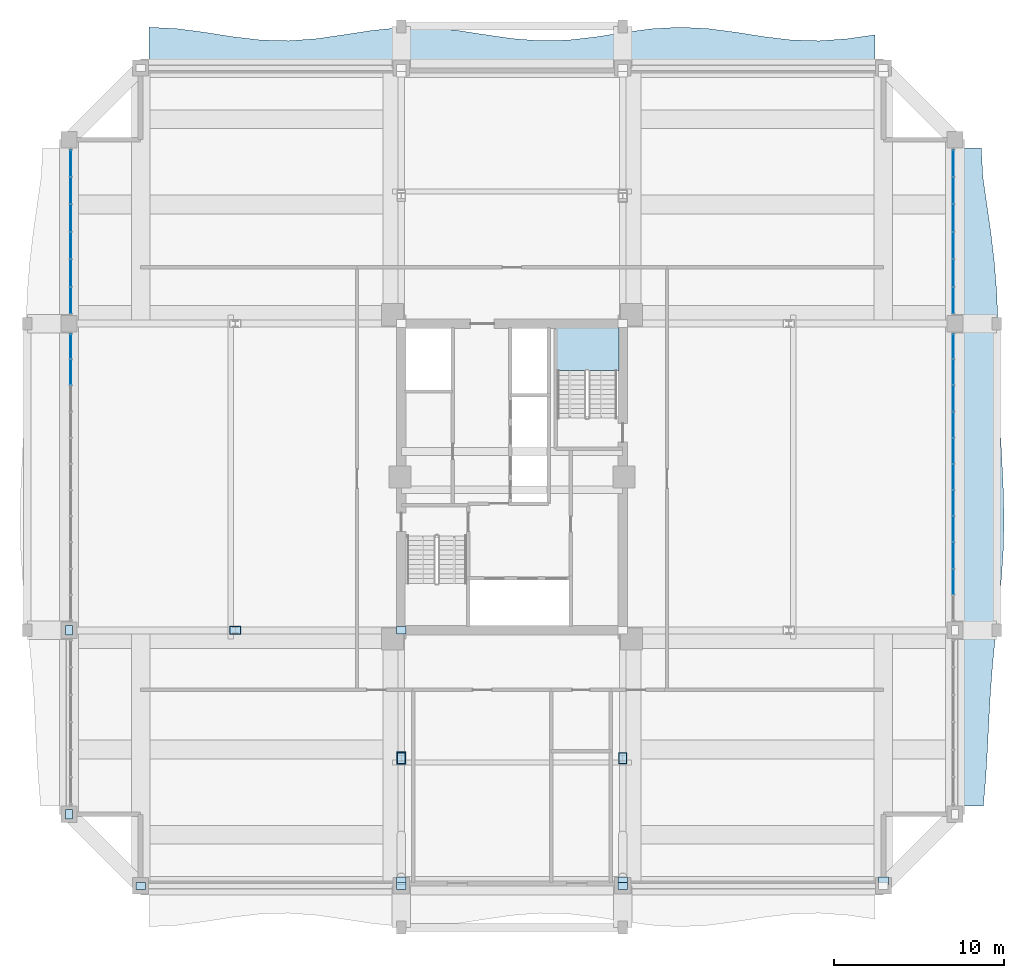
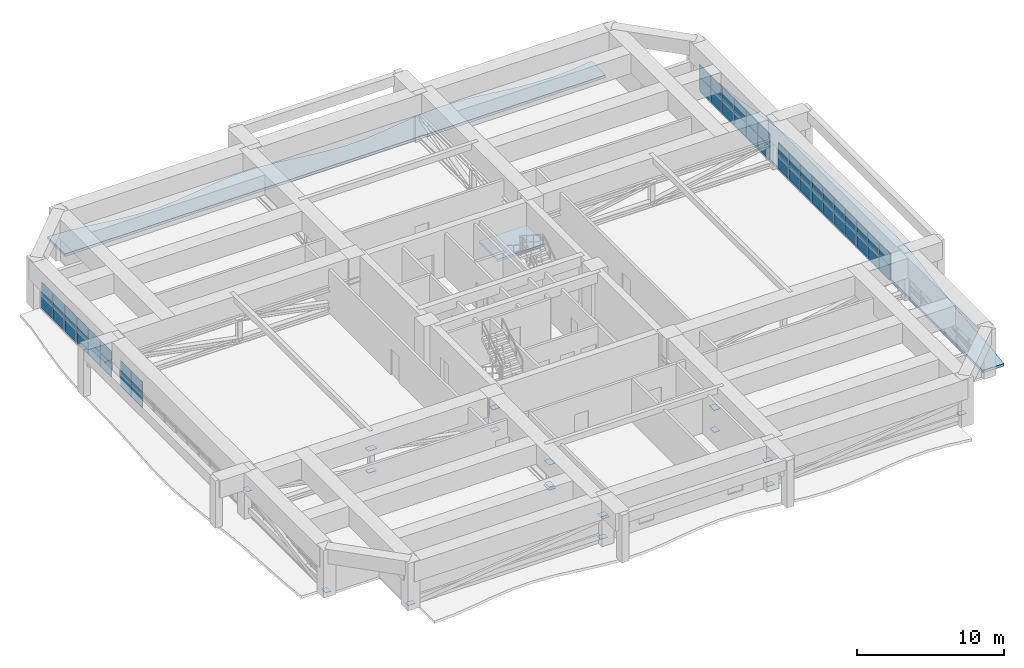
# One storey, part 27 of 35: 66 plates, 3 slabs, 5 elements without a shape of their own.
"""IFC4 building model written with IfcOpenShell, lengths in metres."""

from ifc_helpers import new_model, si_unit, direction, frame, origin, origin_2d, place, context, subcontext, project, spatial, polyline, rectangle, outline, extrude, source, transform, mapped, material, layer, layer_set, type_object, element, aggregate, save


model = new_model("IFC4")

# Units and contexts
model_context = context("Model", 3, precision=1e-05, world=origin(), true_north=direction((0.0, 1.0)))
body_context = subcontext(model_context, "Body", "Model", "MODEL_VIEW")
ifc_project = project(units=[si_unit("LENGTHUNIT", "METRE"), si_unit("AREAUNIT", "SQUARE_METRE"), si_unit("VOLUMEUNIT", "CUBIC_METRE"), si_unit("PLANEANGLEUNIT", "RADIAN"), si_unit("MASSUNIT", "GRAM", prefix="KILO")], contexts=[model_context])

# Site, building, storey
site_placement = place(None, origin())
site = spatial("IfcSite", under=ifc_project, at=site_placement, CompositionType="ELEMENT")
building_placement = place(site_placement, origin())
building = spatial("IfcBuilding", under=site, at=building_placement, Name="Saelheon Loggia Tower", CompositionType="ELEMENT")
storey_placement = place(building_placement, frame((0.0, 0.0, 144.75)))
storey = spatial("IfcBuildingStorey", under=building, at=storey_placement, Name="L46", CompositionType="ELEMENT", Elevation=144.75)

# Slabs
ifc_material_1 = material(Name="Concrete C45/55", Category="concrete")
ifc_layer_1 = layer(ifc_material_1, 0.219970703125)
ifc_layer_set_1 = layer_set([ifc_layer_1], Name="Concrete C45/55")
slab_type_1 = type_object("IfcSlabType", Name="Slab_RefugeTerrace_Ext_220", PredefinedType="FLOOR", material=ifc_layer_set_1)
slab_1_placement = place(storey_placement, frame((0.0, 0.0, -0.219970703125)))
element("IfcSlab", 1, at=slab_1_placement, inside=storey, type_object=slab_type_1, Name="L46 Open Refuge Terrace N", PredefinedType="FLOOR", context=body_context, shape_type="SweptSolid", body=[
    extrude(outline(polyline([(16.699951171875, 51.0), (59.300048828125, 51.0), (59.300048828125, 52.951904296875), (57.66162109375, 52.718505859375), (56.023193359375, 52.603515625), (54.384521484375, 52.65478515625), (52.74609375, 52.851318359375), (51.107666015625, 53.110107421875), (49.46923828125, 53.32275390625), (47.830810546875, 53.39990234375), (46.1923828125, 53.30908203125), (44.5537109375, 53.08837890625), (42.915283203125, 52.830810546875), (41.27685546875, 52.64404296875), (39.638427734375, 52.60693359375), (38.0, 52.73486328125), (36.361572265625, 52.97412109375), (34.72314453125, 53.22412109375), (33.084716796875, 53.380126953125), (31.4462890625, 53.376708984375), (29.8076171875, 53.21484375), (28.169189453125, 52.962890625), (26.53076171875, 52.7265625), (24.892333984375, 52.60498046875), (23.25390625, 52.6494140625), (21.615478515625, 52.8408203125), (19.976806640625, 53.099365234375), (18.33837890625, 53.31591796875), (16.699951171875, 53.39990234375), (16.699951171875, 51.0)])), origin(), (0.0, 0.0, 1.0), 0.219970703125),
])
slab_2_placement = place(storey_placement, frame((0.0, 0.0, -0.219970703125)))
element("IfcSlab", 2, at=slab_2_placement, inside=storey, type_object=slab_type_1, Name="L46 Open Refuge Terrace E", PredefinedType="FLOOR", context=body_context, shape_type="SweptSolid", body=[
    extrude(outline(polyline([(64.0, 7.699951171875), (65.669921875, 7.699951171875), (65.813720703125, 9.37841796875), (65.913330078125, 11.056396484375), (65.9951171875, 12.73486328125), (66.0908203125, 14.4130859375), (66.22216796875, 16.09130859375), (66.390380859375, 17.76953125), (66.573486328125, 19.44775390625), (66.73681640625, 21.126220703125), (66.845458984375, 22.80419921875), (66.880615234375, 24.482666015625), (66.845947265625, 26.160888671875), (66.7666015625, 27.839111328125), (66.677490234375, 29.517333984375), (66.60791015625, 31.19580078125), (66.569091796875, 32.873779296875), (66.5498046875, 34.55224609375), (66.5205078125, 36.23046875), (66.449462890625, 37.90869140625), (66.31494140625, 39.5869140625), (66.117431640625, 41.26513671875), (65.88037109375, 42.943603515625), (65.639892578125, 44.62158203125), (65.550048828125, 46.300048828125), (64.0, 46.300048828125), (64.0, 7.699951171875)])), origin(), (0.0, 0.0, 1.0), 0.219970703125),
])

# Stair, slab
ifc_material_2 = material(Name="Concrete C40/50", Category="concrete")
stair_type = type_object("IfcStairType", Name="Stair_Escape_Core", PredefinedType="HALF_TURN_STAIR", material=ifc_material_2)
stair_placement = place(storey_placement, origin())
stair = element("IfcStair", 3, at=stair_placement, inside=storey, type_object=stair_type, Name="L46 Special Escape Stair ST2", PredefinedType="HALF_TURN_STAIR")
ifc_layer_2 = layer(ifc_material_2, 0.199951171875)
ifc_layer_set_2 = layer_set([ifc_layer_2], Name="Concrete C40/50")
slab_type_2 = type_object("IfcSlabType", Name="Slab_StairLanding_ST2", PredefinedType="LANDING", material=ifc_layer_set_2)
slab_3_placement = place(storey_placement, frame((0.0, 0.0, 1.77490234375)))
slab_3 = element("IfcSlab", 4, at=slab_3_placement, type_object=slab_type_2, Name="ST2 landing 1", PredefinedType="LANDING", context=body_context, shape_type="SweptSolid", body=[
    extrude(outline(polyline([(44.2900390625, 33.25), (44.2900390625, 35.7900390625), (40.530029296875, 35.7900390625), (40.530029296875, 33.25), (44.2900390625, 33.25)])), origin(), (0.0, 0.0, 1.0), 0.2001953125),
])
aggregate(stair, [slab_3])

# Plates
ifc_material_3 = material(Name="Steel SM355", Category="steel")
ifc_layer_3 = layer(ifc_material_3, 0.028076171875)
ifc_layer_set_3 = layer_set([ifc_layer_3], Name="Steel SM355")
plate_type_1 = type_object("IfcPlateType", Name="Plate_Gusset_GS1", PredefinedType="SHEET", material=ifc_layer_set_3)
shared_shape_1 = source(origin(), body_context, "Body", "SweptSolid", [
    extrude(rectangle(XDim=0.679931640625, YDim=0.47998046875, at=origin_2d()), origin(), (0.0, 0.0, 1.0), 0.028076171875),
])
for number, where, z_axis, x_axis, name in (
    (5, (31.5, 10.5, 2.05615234375), (0.0, 0.0, 1.0), (0.0, 1.0, 0.0), "L46 Outrigger Node Gusset SW-S"),
    (6, (44.5, 10.5, 2.05615234375), (0.0, 0.0, 1.0), (0.0, 1.0, 0.0), "L46 Outrigger Node Gusset SE-S"),
    (7, (21.75, 18.0, 2.05615234375), (0.0, 0.0, 1.0), (1.0, 0.0, 0.0), "L46 Outrigger Node Gusset SW-W"),
):
    element("IfcPlate", number, at=place(storey_placement, frame(where, z_axis=z_axis, x_axis=x_axis)), inside=storey, type_object=plate_type_1, Name=name, PredefinedType="SHEET", context=body_context, shape_type="MappedRepresentation", body=[
        mapped(shared_shape_1, transform((0.0, 0.0, 0.0), scale=1.0)),
    ])
ifc_layer_4 = layer(ifc_material_3, 0.031982421875)
ifc_layer_set_4 = layer_set([ifc_layer_4], Name="Steel SM355")
plate_type_2 = type_object("IfcPlateType", Name="Outrigger_BasePlate_BP2", PredefinedType="USERDEFINED", material=ifc_layer_set_4)
shared_shape_2 = source(origin(), body_context, "Body", "SweptSolid", [
    extrude(rectangle(XDim=0.760009765625, YDim=0.5400390625, at=origin_2d()), origin(), (0.0, 0.0, 1.0), 0.031982421875),
])
plate_1_placement = place(storey_placement, frame((31.5, 10.5, 0.0), z_axis=(0.0, 0.0, 1.0), x_axis=(0.0, 1.0, 0.0)))
element("IfcPlate", 8, at=plate_1_placement, inside=storey, type_object=plate_type_2, Name="L46 Outrigger Post Base Plate SW-S", ObjectType="BASE_PLATE", PredefinedType="USERDEFINED", context=body_context, shape_type="MappedRepresentation", body=[
    mapped(shared_shape_2, transform((0.0, 0.0, 0.0), scale=1.0)),
])
ifc_layer_5 = layer(ifc_material_3, 0.02587890625)
ifc_layer_set_5 = layer_set([ifc_layer_5], Name="Steel SM355")
plate_type_3 = type_object("IfcPlateType", Name="Plate_Embed_EP1", PredefinedType="SHEET", material=ifc_layer_set_5)
shared_shape_3 = source(origin(), body_context, "Body", "SweptSolid", [
    extrude(rectangle(XDim=0.580078125, YDim=0.4599609375, at=origin_2d()), origin(), (0.0, 0.0, 1.0), 0.02587890625),
])
for number, where, z_axis, x_axis, name in (
    (9, (31.5, 18.0, 0.20703125), (0.0, 0.0, 1.0), (1.0, 0.0, 0.0), "L46 Core Wall Outrigger Cast-In Embed Plate SW-B"),
    (10, (31.5, 18.0, 2.05712890625), (0.0, 0.0, 1.0), (1.0, 0.0, 0.0), "L46 Core Wall Outrigger Cast-In Embed Plate SW-T"),
    (11, (31.5, 3.280029296875, 2.05712890625), (0.0, 0.0, 1.0), (1.0, 0.0, 0.0), "L46 Perimeter Wall Outrigger Embed Plate SW-T"),
    (12, (44.5, 3.280029296875, 2.05712890625), (0.0, 0.0, 1.0), (1.0, 0.0, 0.0), "L46 Perimeter Wall Outrigger Embed Plate SE-T"),
    (13, (31.5, 3.280029296875, 0.20703125), (0.0, 0.0, 1.0), (1.0, 0.0, 0.0), "L46 Perimeter Wall Outrigger Embed Plate SW-B"),
    (14, (59.800048828125, 3.280029296875, 0.607177734375), (0.0, 0.0, 1.0), (1.0, 0.0, 0.0), "L46 Perimeter Wall Outrigger Embed Plate BS2-E"),
):
    element("IfcPlate", number, at=place(storey_placement, frame(where, z_axis=z_axis, x_axis=x_axis)), inside=storey, type_object=plate_type_3, Name=name, PredefinedType="SHEET", context=body_context, shape_type="MappedRepresentation", body=[
        mapped(shared_shape_3, transform((0.0, 0.0, 0.0), scale=1.0)),
    ])
ifc_layer_6 = layer(ifc_material_3, 0.02490234375)
ifc_layer_set_6 = layer_set([ifc_layer_6], Name="Steel SM355")
plate_type_4 = type_object("IfcPlateType", Name="Plate_EndCap_FP1", PredefinedType="USERDEFINED", material=ifc_layer_set_6)
shared_shape_4 = source(origin(), body_context, "Body", "SweptSolid", [
    extrude(rectangle(XDim=0.56005859375, YDim=0.419921875, at=origin_2d()), origin(), (0.0, 0.0, 1.0), 0.02490234375),
])
for number, where, z_axis, x_axis, name in (
    (15, (16.199951171875, 3.0, 0.20751953125), (0.0, 0.0, 1.0), (1.0, 0.0, 0.0), "L46 Hollow End Cap Plate BS1 A"),
    (16, (31.5, 3.0, 2.0576171875), (0.0, 0.0, 1.0), (1.0, 0.0, 0.0), "L46 Hollow End Cap Plate BS1 B"),
    (17, (44.5, 3.0, 0.20751953125), (0.0, 0.0, 1.0), (1.0, 0.0, 0.0), "L46 Hollow End Cap Plate BS2 A"),
    (18, (12.0, 7.199951171875, 0.20751953125), (0.0, 0.0, 1.0), (0.0, 1.0, 0.0), "L46 Hollow End Cap Plate BW1 A"),
    (19, (12.0, 18.0, 2.0576171875), (0.0, 0.0, 1.0), (0.0, 1.0, 0.0), "L46 Hollow End Cap Plate BW1 B"),
):
    element("IfcPlate", number, at=place(storey_placement, frame(where, z_axis=z_axis, x_axis=x_axis)), inside=storey, type_object=plate_type_4, Name=name, ObjectType="FLANGE_PLATE", PredefinedType="USERDEFINED", context=body_context, shape_type="MappedRepresentation", body=[
        mapped(shared_shape_4, transform((0.0, 0.0, 0.0), scale=1.0)),
    ])
ifc_layer_7 = layer(ifc_material_3, 0.030029296875)
ifc_layer_set_7 = layer_set([ifc_layer_7], Name="Steel SM355")
plate_type_5 = type_object("IfcPlateType", Name="Plate_Splice_SP2", PredefinedType="USERDEFINED", material=ifc_layer_set_7)
shared_shape_5 = source(origin(), body_context, "Body", "SweptSolid", [
    extrude(rectangle(XDim=0.6201171875, YDim=0.43994140625, at=origin_2d()), origin(), (0.0, 0.0, 1.0), 0.030029296875),
])
for number, where, z_axis, x_axis, name in (
    (20, (31.5, 10.5, 0.205078125), (0.0, 0.0, 1.0), (0.0, 1.0, 0.0), "L46 Outrigger Stiffener Plate SW-S"),
    (21, (44.5, 10.5, 0.205078125), (0.0, 0.0, 1.0), (0.0, 1.0, 0.0), "L46 Outrigger Stiffener Plate SE-S"),
    (22, (21.75, 18.0, 0.205078125), (0.0, 0.0, 1.0), (1.0, 0.0, 0.0), "L46 Outrigger Stiffener Plate SW-W"),
):
    element("IfcPlate", number, at=place(storey_placement, frame(where, z_axis=z_axis, x_axis=x_axis)), inside=storey, type_object=plate_type_5, Name=name, ObjectType="STIFFENER_PLATE", PredefinedType="USERDEFINED", context=body_context, shape_type="MappedRepresentation", body=[
        mapped(shared_shape_5, transform((0.0, 0.0, 0.0), scale=1.0)),
    ])

# Curtain wall, plate
ifc_material_4 = material(Name="Anodised Aluminium Acoustic Louvre Curtain Wall", Category="aluminium")
ifc_layer_8 = layer(ifc_material_4, 0.179931640625)
ifc_layer_set_8 = layer_set([ifc_layer_8], Name="Anodised Aluminium Acoustic Louvre Curtain Wall")
curtain_wall_type = type_object("IfcCurtainWallType", Name="CW_RefugeAcoustic", PredefinedType="NOTDEFINED", material=ifc_layer_set_8)
curtain_wall_1_placement = place(storey_placement, origin())
curtain_wall_1 = element("IfcCurtainWall", 23, at=curtain_wall_1_placement, inside=storey, type_object=curtain_wall_type, Name="L46 W Refuge Acoustic Curtain Wall 2", PredefinedType="NOTDEFINED")
ifc_material_5 = material(Name="Triple Low-E Laminated Glazing", Category="glass")
ifc_layer_9 = layer(ifc_material_5, 0.0400390625)
ifc_layer_set_9 = layer_set([ifc_layer_9], Name="Triple Low-E Laminated Glazing")
plate_type_6 = type_object("IfcPlateType", Name="CW_RefugeAcoustic_Panel", PredefinedType="CURTAIN_PANEL", material=ifc_layer_set_9)
shared_shape_6 = source(origin(), body_context, "Body", "SweptSolid", [
    extrude(rectangle(XDim=1.43896484375, YDim=0.0400390625, at=origin_2d()), origin(), (0.0, 0.0, 1.0), 1.1025390625),
])
plate_2_placement = place(storey_placement, frame((12.10009765625, 34.66552734375, 0.06494140625), z_axis=(0.0, 0.0, 1.0), x_axis=(0.0, 1.0, 0.0)))
plate_2 = element("IfcPlate", 24, at=plate_2_placement, type_object=plate_type_6, Name="CW5 panel 11.1", PredefinedType="CURTAIN_PANEL", context=body_context, shape_type="MappedRepresentation", body=[
    mapped(shared_shape_6, transform((0.0, 0.0, 0.0), scale=1.0)),
])

curtain_wall_2_placement = place(storey_placement, origin())
curtain_wall_2 = element("IfcCurtainWall", 25, at=curtain_wall_2_placement, inside=storey, type_object=curtain_wall_type, Name="L46 E Refuge Acoustic Curtain Wall 2", PredefinedType="NOTDEFINED")
plate_3_placement = place(storey_placement, frame((63.89990234375, 34.66552734375, 0.06494140625), z_axis=(0.0, 0.0, 1.0), x_axis=(0.0, 1.0, 0.0)))
plate_3 = element("IfcPlate", 26, at=plate_3_placement, type_object=plate_type_6, Name="CW5 panel 11.1", PredefinedType="CURTAIN_PANEL", context=body_context, shape_type="MappedRepresentation", body=[
    mapped(shared_shape_6, transform((0.0, 0.0, 0.0), scale=1.0)),
])

# Plate
shared_shape_7 = source(origin(), body_context, "Body", "SweptSolid", [
    extrude(rectangle(XDim=1.43896484375, YDim=0.0400390625, at=origin_2d()), origin(), (0.0, 0.0, 1.0), 0.992431640625),
])
plate_4_placement = place(storey_placement, frame((12.10009765625, 34.66552734375, 1.232421875), z_axis=(0.0, 0.0, 1.0), x_axis=(0.0, 1.0, 0.0)))
plate_4 = element("IfcPlate", 27, at=plate_4_placement, type_object=plate_type_6, Name="CW5 panel 11.2", PredefinedType="CURTAIN_PANEL", context=body_context, shape_type="MappedRepresentation", body=[
    mapped(shared_shape_7, transform((0.0, 0.0, 0.0), scale=1.0)),
])

plate_5_placement = place(storey_placement, frame((63.89990234375, 34.66552734375, 1.232421875), z_axis=(0.0, 0.0, 1.0), x_axis=(0.0, 1.0, 0.0)))
plate_5 = element("IfcPlate", 28, at=plate_5_placement, type_object=plate_type_6, Name="CW5 panel 11.2", PredefinedType="CURTAIN_PANEL", context=body_context, shape_type="MappedRepresentation", body=[
    mapped(shared_shape_7, transform((0.0, 0.0, 0.0), scale=1.0)),
])

shared_shape_8 = source(origin(), body_context, "Body", "SweptSolid", [
    extrude(rectangle(XDim=1.471435546875, YDim=0.0400390625, at=origin_2d()), origin(), (0.0, 0.0, 1.0), 1.1025390625),
])
plate_6_placement = place(storey_placement, frame((12.10009765625, 33.1455078125, 0.06494140625), z_axis=(0.0, 0.0, 1.0), x_axis=(0.0, 1.0, 0.0)))
plate_6 = element("IfcPlate", 29, at=plate_6_placement, type_object=plate_type_6, Name="CW5 panel 10.1", PredefinedType="CURTAIN_PANEL", context=body_context, shape_type="MappedRepresentation", body=[
    mapped(shared_shape_8, transform((0.0, 0.0, 0.0), scale=1.0)),
])

plate_7_placement = place(storey_placement, frame((63.89990234375, 20.8544921875, 0.06494140625), z_axis=(0.0, 0.0, 1.0), x_axis=(0.0, 1.0, 0.0)))
plate_7 = element("IfcPlate", 30, at=plate_7_placement, type_object=plate_type_6, Name="CW5 panel 2.1", PredefinedType="CURTAIN_PANEL", context=body_context, shape_type="MappedRepresentation", body=[
    mapped(shared_shape_8, transform((0.0, 0.0, 0.0), scale=1.0)),
])

plate_8_placement = place(storey_placement, frame((63.89990234375, 22.390869140625, 0.06494140625), z_axis=(0.0, 0.0, 1.0), x_axis=(0.0, 1.0, 0.0)))
plate_8 = element("IfcPlate", 31, at=plate_8_placement, type_object=plate_type_6, Name="CW5 panel 3.1", PredefinedType="CURTAIN_PANEL", context=body_context, shape_type="MappedRepresentation", body=[
    mapped(shared_shape_8, transform((0.0, 0.0, 0.0), scale=1.0)),
])

plate_9_placement = place(storey_placement, frame((63.89990234375, 23.92724609375, 0.06494140625), z_axis=(0.0, 0.0, 1.0), x_axis=(0.0, 1.0, 0.0)))
plate_9 = element("IfcPlate", 32, at=plate_9_placement, type_object=plate_type_6, Name="CW5 panel 4.1", PredefinedType="CURTAIN_PANEL", context=body_context, shape_type="MappedRepresentation", body=[
    mapped(shared_shape_8, transform((0.0, 0.0, 0.0), scale=1.0)),
])

plate_10_placement = place(storey_placement, frame((63.89990234375, 25.463623046875, 0.06494140625), z_axis=(0.0, 0.0, 1.0), x_axis=(0.0, 1.0, 0.0)))
plate_10 = element("IfcPlate", 33, at=plate_10_placement, type_object=plate_type_6, Name="CW5 panel 5.1", PredefinedType="CURTAIN_PANEL", context=body_context, shape_type="MappedRepresentation", body=[
    mapped(shared_shape_8, transform((0.0, 0.0, 0.0), scale=1.0)),
])

plate_11_placement = place(storey_placement, frame((63.89990234375, 27.0, 0.06494140625), z_axis=(0.0, 0.0, 1.0), x_axis=(0.0, 1.0, 0.0)))
plate_11 = element("IfcPlate", 34, at=plate_11_placement, type_object=plate_type_6, Name="CW5 panel 6.1", PredefinedType="CURTAIN_PANEL", context=body_context, shape_type="MappedRepresentation", body=[
    mapped(shared_shape_8, transform((0.0, 0.0, 0.0), scale=1.0)),
])

plate_12_placement = place(storey_placement, frame((63.89990234375, 28.536376953125, 0.06494140625), z_axis=(0.0, 0.0, 1.0), x_axis=(0.0, 1.0, 0.0)))
plate_12 = element("IfcPlate", 35, at=plate_12_placement, type_object=plate_type_6, Name="CW5 panel 7.1", PredefinedType="CURTAIN_PANEL", context=body_context, shape_type="MappedRepresentation", body=[
    mapped(shared_shape_8, transform((0.0, 0.0, 0.0), scale=1.0)),
])

plate_13_placement = place(storey_placement, frame((63.89990234375, 30.07275390625, 0.06494140625), z_axis=(0.0, 0.0, 1.0), x_axis=(0.0, 1.0, 0.0)))
plate_13 = element("IfcPlate", 36, at=plate_13_placement, type_object=plate_type_6, Name="CW5 panel 8.1", PredefinedType="CURTAIN_PANEL", context=body_context, shape_type="MappedRepresentation", body=[
    mapped(shared_shape_8, transform((0.0, 0.0, 0.0), scale=1.0)),
])

plate_14_placement = place(storey_placement, frame((63.89990234375, 31.609130859375, 0.06494140625), z_axis=(0.0, 0.0, 1.0), x_axis=(0.0, 1.0, 0.0)))
plate_14 = element("IfcPlate", 37, at=plate_14_placement, type_object=plate_type_6, Name="CW5 panel 9.1", PredefinedType="CURTAIN_PANEL", context=body_context, shape_type="MappedRepresentation", body=[
    mapped(shared_shape_8, transform((0.0, 0.0, 0.0), scale=1.0)),
])

plate_15_placement = place(storey_placement, frame((63.89990234375, 33.1455078125, 0.06494140625), z_axis=(0.0, 0.0, 1.0), x_axis=(0.0, 1.0, 0.0)))
plate_15 = element("IfcPlate", 38, at=plate_15_placement, type_object=plate_type_6, Name="CW5 panel 10.1", PredefinedType="CURTAIN_PANEL", context=body_context, shape_type="MappedRepresentation", body=[
    mapped(shared_shape_8, transform((0.0, 0.0, 0.0), scale=1.0)),
])

shared_shape_9 = source(origin(), body_context, "Body", "SweptSolid", [
    extrude(rectangle(XDim=1.471435546875, YDim=0.0400390625, at=origin_2d()), origin(), (0.0, 0.0, 1.0), 0.992431640625),
])
plate_16_placement = place(storey_placement, frame((12.10009765625, 33.1455078125, 1.232421875), z_axis=(0.0, 0.0, 1.0), x_axis=(0.0, 1.0, 0.0)))
plate_16 = element("IfcPlate", 39, at=plate_16_placement, type_object=plate_type_6, Name="CW5 panel 10.2", PredefinedType="CURTAIN_PANEL", context=body_context, shape_type="MappedRepresentation", body=[
    mapped(shared_shape_9, transform((0.0, 0.0, 0.0), scale=1.0)),
])

aggregate(curtain_wall_1, [plate_6, plate_16, plate_2, plate_4])

plate_17_placement = place(storey_placement, frame((63.89990234375, 20.8544921875, 1.232421875), z_axis=(0.0, 0.0, 1.0), x_axis=(0.0, 1.0, 0.0)))
plate_17 = element("IfcPlate", 40, at=plate_17_placement, type_object=plate_type_6, Name="CW5 panel 2.2", PredefinedType="CURTAIN_PANEL", context=body_context, shape_type="MappedRepresentation", body=[
    mapped(shared_shape_9, transform((0.0, 0.0, 0.0), scale=1.0)),
])

plate_18_placement = place(storey_placement, frame((63.89990234375, 22.390869140625, 1.232421875), z_axis=(0.0, 0.0, 1.0), x_axis=(0.0, 1.0, 0.0)))
plate_18 = element("IfcPlate", 41, at=plate_18_placement, type_object=plate_type_6, Name="CW5 panel 3.2", PredefinedType="CURTAIN_PANEL", context=body_context, shape_type="MappedRepresentation", body=[
    mapped(shared_shape_9, transform((0.0, 0.0, 0.0), scale=1.0)),
])

plate_19_placement = place(storey_placement, frame((63.89990234375, 23.92724609375, 1.232421875), z_axis=(0.0, 0.0, 1.0), x_axis=(0.0, 1.0, 0.0)))
plate_19 = element("IfcPlate", 42, at=plate_19_placement, type_object=plate_type_6, Name="CW5 panel 4.2", PredefinedType="CURTAIN_PANEL", context=body_context, shape_type="MappedRepresentation", body=[
    mapped(shared_shape_9, transform((0.0, 0.0, 0.0), scale=1.0)),
])

plate_20_placement = place(storey_placement, frame((63.89990234375, 25.463623046875, 1.232421875), z_axis=(0.0, 0.0, 1.0), x_axis=(0.0, 1.0, 0.0)))
plate_20 = element("IfcPlate", 43, at=plate_20_placement, type_object=plate_type_6, Name="CW5 panel 5.2", PredefinedType="CURTAIN_PANEL", context=body_context, shape_type="MappedRepresentation", body=[
    mapped(shared_shape_9, transform((0.0, 0.0, 0.0), scale=1.0)),
])

plate_21_placement = place(storey_placement, frame((63.89990234375, 27.0, 1.232421875), z_axis=(0.0, 0.0, 1.0), x_axis=(0.0, 1.0, 0.0)))
plate_21 = element("IfcPlate", 44, at=plate_21_placement, type_object=plate_type_6, Name="CW5 panel 6.2", PredefinedType="CURTAIN_PANEL", context=body_context, shape_type="MappedRepresentation", body=[
    mapped(shared_shape_9, transform((0.0, 0.0, 0.0), scale=1.0)),
])

plate_22_placement = place(storey_placement, frame((63.89990234375, 28.536376953125, 1.232421875), z_axis=(0.0, 0.0, 1.0), x_axis=(0.0, 1.0, 0.0)))
plate_22 = element("IfcPlate", 45, at=plate_22_placement, type_object=plate_type_6, Name="CW5 panel 7.2", PredefinedType="CURTAIN_PANEL", context=body_context, shape_type="MappedRepresentation", body=[
    mapped(shared_shape_9, transform((0.0, 0.0, 0.0), scale=1.0)),
])

plate_23_placement = place(storey_placement, frame((63.89990234375, 30.07275390625, 1.232421875), z_axis=(0.0, 0.0, 1.0), x_axis=(0.0, 1.0, 0.0)))
plate_23 = element("IfcPlate", 46, at=plate_23_placement, type_object=plate_type_6, Name="CW5 panel 8.2", PredefinedType="CURTAIN_PANEL", context=body_context, shape_type="MappedRepresentation", body=[
    mapped(shared_shape_9, transform((0.0, 0.0, 0.0), scale=1.0)),
])

plate_24_placement = place(storey_placement, frame((63.89990234375, 31.609130859375, 1.232421875), z_axis=(0.0, 0.0, 1.0), x_axis=(0.0, 1.0, 0.0)))
plate_24 = element("IfcPlate", 47, at=plate_24_placement, type_object=plate_type_6, Name="CW5 panel 9.2", PredefinedType="CURTAIN_PANEL", context=body_context, shape_type="MappedRepresentation", body=[
    mapped(shared_shape_9, transform((0.0, 0.0, 0.0), scale=1.0)),
])

plate_25_placement = place(storey_placement, frame((63.89990234375, 33.1455078125, 1.232421875), z_axis=(0.0, 0.0, 1.0), x_axis=(0.0, 1.0, 0.0)))
plate_25 = element("IfcPlate", 48, at=plate_25_placement, type_object=plate_type_6, Name="CW5 panel 10.2", PredefinedType="CURTAIN_PANEL", context=body_context, shape_type="MappedRepresentation", body=[
    mapped(shared_shape_9, transform((0.0, 0.0, 0.0), scale=1.0)),
])

aggregate(curtain_wall_2, [plate_7, plate_17, plate_8, plate_18, plate_9, plate_19, plate_10, plate_20, plate_11, plate_21, plate_12, plate_22, plate_13, plate_23, plate_14, plate_24, plate_15, plate_25, plate_3, plate_5])

# Curtain wall, plates
curtain_wall_3_placement = place(storey_placement, origin())
curtain_wall_3 = element("IfcCurtainWall", 49, at=curtain_wall_3_placement, inside=storey, type_object=curtain_wall_type, Name="L46 W Refuge Acoustic Curtain Wall 3", PredefinedType="NOTDEFINED")
shared_shape_10 = source(origin(), body_context, "Body", "SweptSolid", [
    extrude(rectangle(XDim=1.519287109375, YDim=0.0400390625, at=origin_2d()), origin(), (0.0, 0.0, 1.0), 1.1025390625),
])
plate_26_placement = place(storey_placement, frame((12.10009765625, 37.37451171875, 0.06494140625), z_axis=(0.0, 0.0, 1.0), x_axis=(0.0, 1.0, 0.0)))
plate_26 = element("IfcPlate", 50, at=plate_26_placement, type_object=plate_type_6, Name="CW5 panel 1.1", PredefinedType="CURTAIN_PANEL", context=body_context, shape_type="MappedRepresentation", body=[
    mapped(shared_shape_10, transform((0.0, 0.0, 0.0), scale=1.0)),
])
plate_27_placement = place(storey_placement, frame((12.10009765625, 45.425537109375, 0.06494140625), z_axis=(0.0, 0.0, 1.0), x_axis=(0.0, 1.0, 0.0)))
plate_27 = element("IfcPlate", 51, at=plate_27_placement, type_object=plate_type_6, Name="CW5 panel 6.1", PredefinedType="CURTAIN_PANEL", context=body_context, shape_type="MappedRepresentation", body=[
    mapped(shared_shape_10, transform((0.0, 0.0, 0.0), scale=1.0)),
])

curtain_wall_4_placement = place(storey_placement, origin())
curtain_wall_4 = element("IfcCurtainWall", 52, at=curtain_wall_4_placement, inside=storey, type_object=curtain_wall_type, Name="L46 E Refuge Acoustic Curtain Wall 3", PredefinedType="NOTDEFINED")
plate_28_placement = place(storey_placement, frame((63.89990234375, 37.37451171875, 0.06494140625), z_axis=(0.0, 0.0, 1.0), x_axis=(0.0, 1.0, 0.0)))
plate_28 = element("IfcPlate", 53, at=plate_28_placement, type_object=plate_type_6, Name="CW5 panel 1.1", PredefinedType="CURTAIN_PANEL", context=body_context, shape_type="MappedRepresentation", body=[
    mapped(shared_shape_10, transform((0.0, 0.0, 0.0), scale=1.0)),
])
plate_29_placement = place(storey_placement, frame((63.89990234375, 45.425537109375, 0.06494140625), z_axis=(0.0, 0.0, 1.0), x_axis=(0.0, 1.0, 0.0)))
plate_29 = element("IfcPlate", 54, at=plate_29_placement, type_object=plate_type_6, Name="CW5 panel 6.1", PredefinedType="CURTAIN_PANEL", context=body_context, shape_type="MappedRepresentation", body=[
    mapped(shared_shape_10, transform((0.0, 0.0, 0.0), scale=1.0)),
])

# Plate
shared_shape_11 = source(origin(), body_context, "Body", "SweptSolid", [
    extrude(rectangle(XDim=1.519287109375, YDim=0.0400390625, at=origin_2d()), origin(), (0.0, 0.0, 1.0), 0.992431640625),
])
plate_30_placement = place(storey_placement, frame((12.10009765625, 37.37451171875, 1.232421875), z_axis=(0.0, 0.0, 1.0), x_axis=(0.0, 1.0, 0.0)))
plate_30 = element("IfcPlate", 55, at=plate_30_placement, type_object=plate_type_6, Name="CW5 panel 1.2", PredefinedType="CURTAIN_PANEL", context=body_context, shape_type="MappedRepresentation", body=[
    mapped(shared_shape_11, transform((0.0, 0.0, 0.0), scale=1.0)),
])

plate_31_placement = place(storey_placement, frame((12.10009765625, 45.425537109375, 1.232421875), z_axis=(0.0, 0.0, 1.0), x_axis=(0.0, 1.0, 0.0)))
plate_31 = element("IfcPlate", 56, at=plate_31_placement, type_object=plate_type_6, Name="CW5 panel 6.2", PredefinedType="CURTAIN_PANEL", context=body_context, shape_type="MappedRepresentation", body=[
    mapped(shared_shape_11, transform((0.0, 0.0, 0.0), scale=1.0)),
])

plate_32_placement = place(storey_placement, frame((63.89990234375, 37.37451171875, 1.232421875), z_axis=(0.0, 0.0, 1.0), x_axis=(0.0, 1.0, 0.0)))
plate_32 = element("IfcPlate", 57, at=plate_32_placement, type_object=plate_type_6, Name="CW5 panel 1.2", PredefinedType="CURTAIN_PANEL", context=body_context, shape_type="MappedRepresentation", body=[
    mapped(shared_shape_11, transform((0.0, 0.0, 0.0), scale=1.0)),
])

plate_33_placement = place(storey_placement, frame((63.89990234375, 45.425537109375, 1.232421875), z_axis=(0.0, 0.0, 1.0), x_axis=(0.0, 1.0, 0.0)))
plate_33 = element("IfcPlate", 58, at=plate_33_placement, type_object=plate_type_6, Name="CW5 panel 6.2", PredefinedType="CURTAIN_PANEL", context=body_context, shape_type="MappedRepresentation", body=[
    mapped(shared_shape_11, transform((0.0, 0.0, 0.0), scale=1.0)),
])

shared_shape_12 = source(origin(), body_context, "Body", "SweptSolid", [
    extrude(rectangle(XDim=1.5517578125, YDim=0.0400390625, at=origin_2d()), origin(), (0.0, 0.0, 1.0), 1.1025390625),
])
plate_34_placement = place(storey_placement, frame((12.10009765625, 38.97509765625, 0.06494140625), z_axis=(0.0, 0.0, 1.0), x_axis=(0.0, 1.0, 0.0)))
plate_34 = element("IfcPlate", 59, at=plate_34_placement, type_object=plate_type_6, Name="CW5 panel 2.1", PredefinedType="CURTAIN_PANEL", context=body_context, shape_type="MappedRepresentation", body=[
    mapped(shared_shape_12, transform((0.0, 0.0, 0.0), scale=1.0)),
])

plate_35_placement = place(storey_placement, frame((12.10009765625, 40.591552734375, 0.06494140625), z_axis=(0.0, 0.0, 1.0), x_axis=(0.0, 1.0, 0.0)))
plate_35 = element("IfcPlate", 60, at=plate_35_placement, type_object=plate_type_6, Name="CW5 panel 3.1", PredefinedType="CURTAIN_PANEL", context=body_context, shape_type="MappedRepresentation", body=[
    mapped(shared_shape_12, transform((0.0, 0.0, 0.0), scale=1.0)),
])

plate_36_placement = place(storey_placement, frame((12.10009765625, 42.208251953125, 0.06494140625), z_axis=(0.0, 0.0, 1.0), x_axis=(0.0, 1.0, 0.0)))
plate_36 = element("IfcPlate", 61, at=plate_36_placement, type_object=plate_type_6, Name="CW5 panel 4.1", PredefinedType="CURTAIN_PANEL", context=body_context, shape_type="MappedRepresentation", body=[
    mapped(shared_shape_12, transform((0.0, 0.0, 0.0), scale=1.0)),
])

plate_37_placement = place(storey_placement, frame((12.10009765625, 43.824951171875, 0.06494140625), z_axis=(0.0, 0.0, 1.0), x_axis=(0.0, 1.0, 0.0)))
plate_37 = element("IfcPlate", 62, at=plate_37_placement, type_object=plate_type_6, Name="CW5 panel 5.1", PredefinedType="CURTAIN_PANEL", context=body_context, shape_type="MappedRepresentation", body=[
    mapped(shared_shape_12, transform((0.0, 0.0, 0.0), scale=1.0)),
])

plate_38_placement = place(storey_placement, frame((63.89990234375, 38.97509765625, 0.06494140625), z_axis=(0.0, 0.0, 1.0), x_axis=(0.0, 1.0, 0.0)))
plate_38 = element("IfcPlate", 63, at=plate_38_placement, type_object=plate_type_6, Name="CW5 panel 2.1", PredefinedType="CURTAIN_PANEL", context=body_context, shape_type="MappedRepresentation", body=[
    mapped(shared_shape_12, transform((0.0, 0.0, 0.0), scale=1.0)),
])

plate_39_placement = place(storey_placement, frame((63.89990234375, 40.591552734375, 0.06494140625), z_axis=(0.0, 0.0, 1.0), x_axis=(0.0, 1.0, 0.0)))
plate_39 = element("IfcPlate", 64, at=plate_39_placement, type_object=plate_type_6, Name="CW5 panel 3.1", PredefinedType="CURTAIN_PANEL", context=body_context, shape_type="MappedRepresentation", body=[
    mapped(shared_shape_12, transform((0.0, 0.0, 0.0), scale=1.0)),
])

plate_40_placement = place(storey_placement, frame((63.89990234375, 42.208251953125, 0.06494140625), z_axis=(0.0, 0.0, 1.0), x_axis=(0.0, 1.0, 0.0)))
plate_40 = element("IfcPlate", 65, at=plate_40_placement, type_object=plate_type_6, Name="CW5 panel 4.1", PredefinedType="CURTAIN_PANEL", context=body_context, shape_type="MappedRepresentation", body=[
    mapped(shared_shape_12, transform((0.0, 0.0, 0.0), scale=1.0)),
])

plate_41_placement = place(storey_placement, frame((63.89990234375, 43.824951171875, 0.06494140625), z_axis=(0.0, 0.0, 1.0), x_axis=(0.0, 1.0, 0.0)))
plate_41 = element("IfcPlate", 66, at=plate_41_placement, type_object=plate_type_6, Name="CW5 panel 5.1", PredefinedType="CURTAIN_PANEL", context=body_context, shape_type="MappedRepresentation", body=[
    mapped(shared_shape_12, transform((0.0, 0.0, 0.0), scale=1.0)),
])

shared_shape_13 = source(origin(), body_context, "Body", "SweptSolid", [
    extrude(rectangle(XDim=1.5517578125, YDim=0.0400390625, at=origin_2d()), origin(), (0.0, 0.0, 1.0), 0.992431640625),
])
plate_42_placement = place(storey_placement, frame((12.10009765625, 38.97509765625, 1.232421875), z_axis=(0.0, 0.0, 1.0), x_axis=(0.0, 1.0, 0.0)))
plate_42 = element("IfcPlate", 67, at=plate_42_placement, type_object=plate_type_6, Name="CW5 panel 2.2", PredefinedType="CURTAIN_PANEL", context=body_context, shape_type="MappedRepresentation", body=[
    mapped(shared_shape_13, transform((0.0, 0.0, 0.0), scale=1.0)),
])

plate_43_placement = place(storey_placement, frame((12.10009765625, 40.591552734375, 1.232421875), z_axis=(0.0, 0.0, 1.0), x_axis=(0.0, 1.0, 0.0)))
plate_43 = element("IfcPlate", 68, at=plate_43_placement, type_object=plate_type_6, Name="CW5 panel 3.2", PredefinedType="CURTAIN_PANEL", context=body_context, shape_type="MappedRepresentation", body=[
    mapped(shared_shape_13, transform((0.0, 0.0, 0.0), scale=1.0)),
])

plate_44_placement = place(storey_placement, frame((12.10009765625, 42.208251953125, 1.232421875), z_axis=(0.0, 0.0, 1.0), x_axis=(0.0, 1.0, 0.0)))
plate_44 = element("IfcPlate", 69, at=plate_44_placement, type_object=plate_type_6, Name="CW5 panel 4.2", PredefinedType="CURTAIN_PANEL", context=body_context, shape_type="MappedRepresentation", body=[
    mapped(shared_shape_13, transform((0.0, 0.0, 0.0), scale=1.0)),
])

plate_45_placement = place(storey_placement, frame((12.10009765625, 43.824951171875, 1.232421875), z_axis=(0.0, 0.0, 1.0), x_axis=(0.0, 1.0, 0.0)))
plate_45 = element("IfcPlate", 70, at=plate_45_placement, type_object=plate_type_6, Name="CW5 panel 5.2", PredefinedType="CURTAIN_PANEL", context=body_context, shape_type="MappedRepresentation", body=[
    mapped(shared_shape_13, transform((0.0, 0.0, 0.0), scale=1.0)),
])

aggregate(curtain_wall_3, [plate_26, plate_30, plate_34, plate_42, plate_35, plate_43, plate_36, plate_44, plate_37, plate_45, plate_27, plate_31])

plate_46_placement = place(storey_placement, frame((63.89990234375, 38.97509765625, 1.232421875), z_axis=(0.0, 0.0, 1.0), x_axis=(0.0, 1.0, 0.0)))
plate_46 = element("IfcPlate", 71, at=plate_46_placement, type_object=plate_type_6, Name="CW5 panel 2.2", PredefinedType="CURTAIN_PANEL", context=body_context, shape_type="MappedRepresentation", body=[
    mapped(shared_shape_13, transform((0.0, 0.0, 0.0), scale=1.0)),
])

plate_47_placement = place(storey_placement, frame((63.89990234375, 40.591552734375, 1.232421875), z_axis=(0.0, 0.0, 1.0), x_axis=(0.0, 1.0, 0.0)))
plate_47 = element("IfcPlate", 72, at=plate_47_placement, type_object=plate_type_6, Name="CW5 panel 3.2", PredefinedType="CURTAIN_PANEL", context=body_context, shape_type="MappedRepresentation", body=[
    mapped(shared_shape_13, transform((0.0, 0.0, 0.0), scale=1.0)),
])

plate_48_placement = place(storey_placement, frame((63.89990234375, 42.208251953125, 1.232421875), z_axis=(0.0, 0.0, 1.0), x_axis=(0.0, 1.0, 0.0)))
plate_48 = element("IfcPlate", 73, at=plate_48_placement, type_object=plate_type_6, Name="CW5 panel 4.2", PredefinedType="CURTAIN_PANEL", context=body_context, shape_type="MappedRepresentation", body=[
    mapped(shared_shape_13, transform((0.0, 0.0, 0.0), scale=1.0)),
])

plate_49_placement = place(storey_placement, frame((63.89990234375, 43.824951171875, 1.232421875), z_axis=(0.0, 0.0, 1.0), x_axis=(0.0, 1.0, 0.0)))
plate_49 = element("IfcPlate", 74, at=plate_49_placement, type_object=plate_type_6, Name="CW5 panel 5.2", PredefinedType="CURTAIN_PANEL", context=body_context, shape_type="MappedRepresentation", body=[
    mapped(shared_shape_13, transform((0.0, 0.0, 0.0), scale=1.0)),
])

aggregate(curtain_wall_4, [plate_28, plate_32, plate_38, plate_46, plate_39, plate_47, plate_40, plate_48, plate_41, plate_49, plate_29, plate_33])

save(model, "model.ifc")
